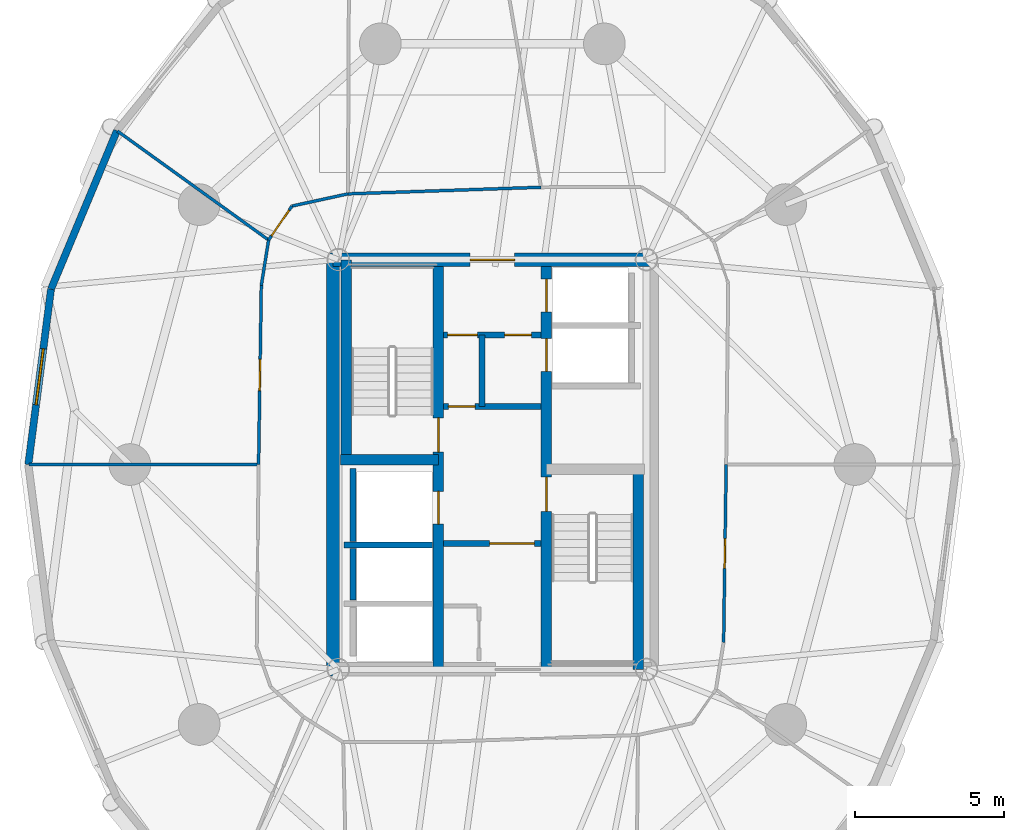
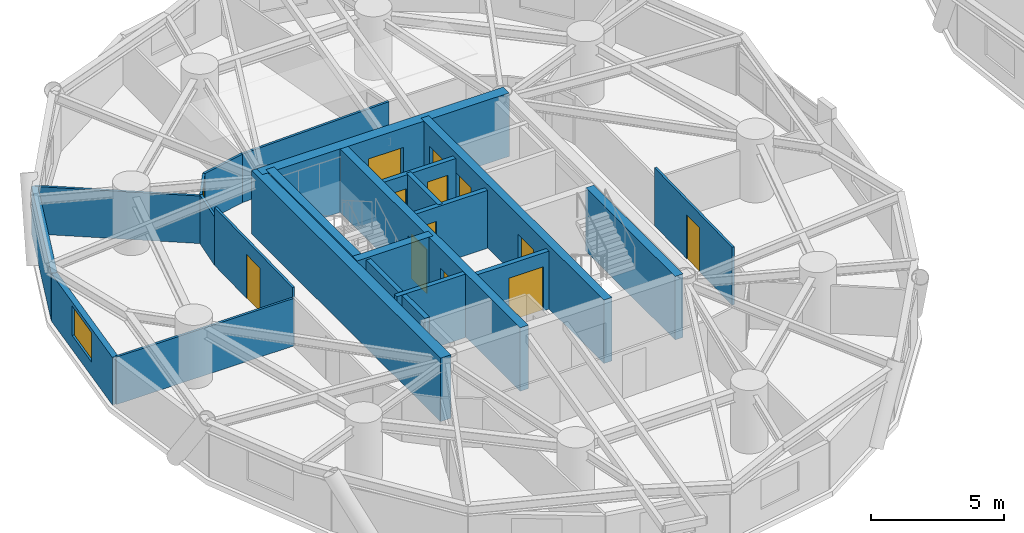
# One storey, part 10 of 16: 24 walls, 13 doors, 1 window, 14 openings.
"""IFC4 building model written with IfcOpenShell, lengths in metres."""

from ifc_helpers import new_model, si_unit, direction, frame, frame_2d, origin, place, context, subcontext, project, spatial, rectangle, extrude, source, transform, mapped, material, layer, layer_set, type_object, element, fill, save


model = new_model("IFC4")

# Units and contexts
model_context = context("Model", 3, precision=1e-05, world=origin(), true_north=direction((0.0, 1.0)))
body_context = subcontext(model_context, "Body", "Model", "MODEL_VIEW")
ifc_project = project(units=[si_unit("LENGTHUNIT", "METRE"), si_unit("AREAUNIT", "SQUARE_METRE"), si_unit("VOLUMEUNIT", "CUBIC_METRE"), si_unit("PLANEANGLEUNIT", "RADIAN"), si_unit("MASSUNIT", "GRAM", prefix="KILO")], contexts=[model_context])

# Site, building, storey
site_placement = place(None, origin())
site = spatial("IfcSite", under=ifc_project, at=site_placement, CompositionType="ELEMENT")
building_placement = place(site_placement, origin())
building = spatial("IfcBuilding", under=site, at=building_placement, Name="Cununo Teusaquillo Station Towers", CompositionType="ELEMENT")
storey_placement = place(building_placement, frame((0.0, 0.0, 99.25)))
storey = spatial("IfcBuildingStorey", under=building, at=storey_placement, Name="L31", CompositionType="ELEMENT", Elevation=99.25)

# Walls
ifc_material_1 = material(Name="Concrete C50/60", Category="concrete")
ifc_layer_1 = layer(ifc_material_1, 0.199951171875)
ifc_layer_set_1 = layer_set([ifc_layer_1], Name="Concrete C50/60")
wall_type_1 = type_object("IfcWallType", Name="WL-CORE-200", PredefinedType="SHEAR", material=ifc_layer_set_1)
wall_1_placement = place(storey_placement, frame((11.52001953125, 21.800048828125, 0.0), z_axis=(0.0, 0.0, 1.0), x_axis=(1.0, 0.0, 0.0)))
element("IfcWall", 1, at=wall_1_placement, inside=storey, type_object=wall_type_1, Name="L31 Tower A Firefighting Lift Shaft South Shear Wall", PredefinedType="SHEAR", context=body_context, shape_type="SweptSolid", body=[
    extrude(rectangle(XDim=2.969970703125, YDim=0.199951171875, at=frame_2d((1.48486328125, 0.0))), origin(), (0.0, 0.0, 1.0), 2.909912109375),
])
wall_2_placement = place(storey_placement, frame((11.820068359375, 21.919921875, 0.0), z_axis=(0.0, 0.0, 1.0), x_axis=(0.0, 1.0, 0.0)))
element("IfcWall", 2, at=wall_2_placement, inside=storey, type_object=wall_type_1, Name="L31 Tower A Firefighting Lift Shaft Rear Shear Wall", PredefinedType="SHEAR", context=body_context, shape_type="SweptSolid", body=[
    extrude(rectangle(XDim=2.440185546875, YDim=0.199951171875, at=frame_2d((1.22021484375, 0.0))), origin(), (0.0, 0.0, 1.0), 2.909912109375),
])
wall_3_placement = place(storey_placement, frame((11.820068359375, 19.945068359375, 0.0), z_axis=(0.0, 0.0, 1.0), x_axis=(0.0, 1.0, 0.0)))
element("IfcWall", 3, at=wall_3_placement, inside=storey, type_object=wall_type_1, Name="L31 Tower A High-Rise Lift 2 Shaft Rear Shear Wall", PredefinedType="SHEAR", context=body_context, shape_type="SweptSolid", body=[
    extrude(rectangle(XDim=1.73486328125, YDim=0.199951171875, at=frame_2d((0.867431640625, 0.0))), origin(), (0.0, 0.0, 1.0), 2.909912109375),
])

# Wall, openings, doors
ifc_material_2 = material(Name="Concrete C50/60", Category="concrete")
ifc_layer_2 = layer(ifc_material_2, 0.35009765625)
ifc_layer_set_2 = layer_set([ifc_layer_2], Name="Concrete C50/60")
wall_type_2 = type_object("IfcWallType", Name="WL-CORE-350", PredefinedType="SHEAR", material=ifc_layer_set_2)
wall_4_placement = place(storey_placement, frame((14.68505859375, 17.625, 0.0), z_axis=(0.0, 0.0, 1.0), x_axis=(0.0, 1.0, 0.0)))
wall_4 = element("IfcWall", 4, at=wall_4_placement, inside=storey, type_object=wall_type_2, Name="L31 Tower A Core Shear Wall IW", PredefinedType="SHEAR", context=body_context, shape_type="SweptSolid", body=[
    extrude(rectangle(XDim=13.75, YDim=0.35009765625, at=frame_2d((6.875, 0.0))), origin(), (0.0, 0.0, 1.0), 2.909912109375),
])
shared_shape_1 = source(origin(), body_context, "Body", "SweptSolid", [
    extrude(rectangle(XDim=1.10009765625, YDim=2.014892578125, at=frame_2d((0.550048828125, 1.00732421875))), frame((0.0, 0.18505859375, 0.0), z_axis=(0.0, -1.0, 0.0), x_axis=(1.0, 0.0, 0.0)), (0.0, 0.0, 1.0), 0.3701171875),
])
opening_1_placement = place(wall_4_placement, frame((4.875, 0.0, 0.0)))
opening_1 = element("IfcOpeningElement", 5, at=opening_1_placement, cuts=wall_4, Name="Opening LD-01", PredefinedType="OPENING", context=body_context, shape_type="MappedRepresentation", body=[
    mapped(shared_shape_1, transform((0.0, 0.0, 0.0), x_axis=(1.0, 0.0, 0.0), y_axis=(0.0, 1.0, 0.0), z_axis=(0.0, 0.0, 1.0), scale=1.0)),
])
shared_shape_2 = source(origin(), body_context, "Body", "SweptSolid", [
    extrude(rectangle(XDim=1.14990234375, YDim=2.02001953125, at=frame_2d((0.574951171875, 1.010009765625))), frame((0.0, 0.18505859375, 0.0), z_axis=(0.0, -1.0, 0.0), x_axis=(1.0, 0.0, 0.0)), (0.0, 0.0, 1.0), 0.3701171875),
])
opening_2_placement = place(wall_4_placement, frame((7.294921875, 0.0, 0.0)))
opening_2 = element("IfcOpeningElement", 6, at=opening_2_placement, cuts=wall_4, Name="Opening D-ST1", PredefinedType="OPENING", context=body_context, shape_type="MappedRepresentation", body=[
    mapped(shared_shape_2, transform((0.0, 0.0, 0.0), x_axis=(1.0, 0.0, 0.0), y_axis=(0.0, 1.0, 0.0), z_axis=(0.0, 0.0, 1.0), scale=1.0)),
])
ifc_material_3 = material(Name="Galvanised fire-rated hollow steel door assembly", Category="steel")
door_type_1 = type_object("IfcDoorType", Name="DR-LIFT-1100", OperationType="SLIDING_TO_LEFT", PredefinedType="DOOR", material=ifc_material_3)
shared_shape_3 = source(origin(), body_context, "Body", "SweptSolid", [
    extrude(rectangle(XDim=1.10009765625, YDim=2.014892578125, at=frame_2d((0.550048828125, 1.00732421875))), frame((0.0, 0.02490234375, 0.0), z_axis=(0.0, -1.0, 0.0), x_axis=(1.0, 0.0, 0.0)), (0.0, 0.0, 1.0), 0.050048828125),
])
door_1_placement = place(opening_1_placement, origin())
door_1 = element("IfcDoor", 7, at=door_1_placement, inside=storey, type_object=door_type_1, Name="L31 Lift FL-T1 Sliding Landing Door", OperationType="SLIDING_TO_RIGHT", OverallHeight=2.014892578125, OverallWidth=1.10009765625, PredefinedType="DOOR", context=body_context, shape_type="MappedRepresentation", body=[
    mapped(shared_shape_3, transform((0.0, 0.0, 0.0), x_axis=(1.0, 0.0, 0.0), y_axis=(0.0, 1.0, 0.0), z_axis=(0.0, 0.0, 1.0), scale=1.0)),
])
fill(opening_1, door_1)
ifc_material_4 = material(Name="Galvanised fire-rated hollow steel door assembly", Category="steel")
door_type_2 = type_object("IfcDoorType", Name="DR-STAIR-1150", OperationType="NOTDEFINED", PredefinedType="DOOR", material=ifc_material_4)
shared_shape_4 = source(origin(), body_context, "Body", "SweptSolid", [
    extrude(rectangle(XDim=1.14990234375, YDim=2.02001953125, at=frame_2d((0.574951171875, 1.010009765625))), frame((0.0, 0.02490234375, 0.0), z_axis=(0.0, -1.0, 0.0), x_axis=(1.0, 0.0, 0.0)), (0.0, 0.0, 1.0), 0.050048828125),
])
door_2_placement = place(opening_2_placement, origin())
door_2 = element("IfcDoor", 8, at=door_2_placement, inside=storey, type_object=door_type_2, Name="L31 Tower A Exit Stair 1 Fire Door", OperationType="SINGLE_SWING_RIGHT", OverallHeight=2.02001953125, OverallWidth=1.14990234375, PredefinedType="DOOR", context=body_context, shape_type="MappedRepresentation", body=[
    mapped(shared_shape_4, transform((0.0, 0.0, 0.0), x_axis=(1.0, 0.0, 0.0), y_axis=(0.0, 1.0, 0.0), z_axis=(0.0, 0.0, 1.0), scale=1.0)),
])
fill(opening_2, door_2)

wall_5_placement = place(storey_placement, frame((18.31494140625, 17.625, 0.0), z_axis=(0.0, 0.0, 1.0), x_axis=(0.0, 1.0, 0.0)))
wall_5 = element("IfcWall", 9, at=wall_5_placement, inside=storey, type_object=wall_type_2, Name="L31 Tower A Core Shear Wall IE", PredefinedType="SHEAR", context=body_context, shape_type="SweptSolid", body=[
    extrude(rectangle(XDim=13.75, YDim=0.35009765625, at=frame_2d((6.875, 0.0))), origin(), (0.0, 0.0, 1.0), 2.909912109375),
])
opening_3_placement = place(wall_5_placement, frame((10.0, 0.0, 0.0)))
opening_3 = element("IfcOpeningElement", 10, at=opening_3_placement, cuts=wall_5, Name="Opening LD-01", PredefinedType="OPENING", context=body_context, shape_type="MappedRepresentation", body=[
    mapped(shared_shape_1, transform((0.0, 0.0, 0.0), x_axis=(1.0, 0.0, 0.0), y_axis=(0.0, 1.0, 0.0), z_axis=(0.0, 0.0, 1.0), scale=1.0)),
])
opening_4_placement = place(wall_5_placement, frame((12.0, 0.0, 0.0)))
opening_4 = element("IfcOpeningElement", 11, at=opening_4_placement, cuts=wall_5, Name="Opening LD-01", PredefinedType="OPENING", context=body_context, shape_type="MappedRepresentation", body=[
    mapped(shared_shape_1, transform((0.0, 0.0, 0.0), x_axis=(1.0, 0.0, 0.0), y_axis=(0.0, 1.0, 0.0), z_axis=(0.0, 0.0, 1.0), scale=1.0)),
])
opening_5_placement = place(wall_5_placement, frame((5.304931640625, 0.0, 0.0)))
opening_5 = element("IfcOpeningElement", 12, at=opening_5_placement, cuts=wall_5, Name="Opening D-ST1", PredefinedType="OPENING", context=body_context, shape_type="MappedRepresentation", body=[
    mapped(shared_shape_2, transform((0.0, 0.0, 0.0), x_axis=(1.0, 0.0, 0.0), y_axis=(0.0, 1.0, 0.0), z_axis=(0.0, 0.0, 1.0), scale=1.0)),
])
door_3_placement = place(opening_3_placement, origin())
door_3 = element("IfcDoor", 13, at=door_3_placement, inside=storey, type_object=door_type_1, Name="L31 Lift PL-T1-L1 Sliding Landing Door", OperationType="SLIDING_TO_RIGHT", OverallHeight=2.014892578125, OverallWidth=1.10009765625, PredefinedType="DOOR", context=body_context, shape_type="MappedRepresentation", body=[
    mapped(shared_shape_3, transform((0.0, 0.0, 0.0), x_axis=(1.0, 0.0, 0.0), y_axis=(0.0, 1.0, 0.0), z_axis=(0.0, 0.0, 1.0), scale=1.0)),
])
fill(opening_3, door_3)
door_4_placement = place(opening_4_placement, origin())
door_4 = element("IfcDoor", 14, at=door_4_placement, inside=storey, type_object=door_type_1, Name="L31 Lift PL-T1-L2 Sliding Landing Door", OperationType="SLIDING_TO_LEFT", OverallHeight=2.014892578125, OverallWidth=1.10009765625, PredefinedType="DOOR", context=body_context, shape_type="MappedRepresentation", body=[
    mapped(shared_shape_3, transform((0.0, 0.0, 0.0), x_axis=(1.0, 0.0, 0.0), y_axis=(0.0, 1.0, 0.0), z_axis=(0.0, 0.0, 1.0), scale=1.0)),
])
fill(opening_4, door_4)
door_5_placement = place(opening_5_placement, origin())
door_5 = element("IfcDoor", 15, at=door_5_placement, inside=storey, type_object=door_type_2, Name="L31 Tower A Exit Stair 2 Fire Door", OperationType="SINGLE_SWING_LEFT", OverallHeight=2.02001953125, OverallWidth=1.14990234375, PredefinedType="DOOR", context=body_context, shape_type="MappedRepresentation", body=[
    mapped(shared_shape_4, transform((0.0, 0.0, 0.0), x_axis=(1.0, 0.0, 0.0), y_axis=(0.0, 1.0, 0.0), z_axis=(0.0, 0.0, 1.0), scale=1.0)),
])
fill(opening_5, door_5)

# Walls
wall_6_placement = place(storey_placement, frame((11.594970703125, 24.655029296875, 0.0), z_axis=(0.0, 0.0, 1.0), x_axis=(0.0, 1.0, 0.0)))
element("IfcWall", 16, at=wall_6_placement, inside=storey, type_object=wall_type_2, Name="L31 Tower A Core Shear Wall ST1W", PredefinedType="SHEAR", context=body_context, shape_type="SweptSolid", body=[
    extrude(rectangle(XDim=6.719970703125, YDim=0.35009765625, at=frame_2d((3.35986328125, 0.0))), origin(), (0.0, 0.0, 1.0), 2.909912109375),
])
wall_7_placement = place(storey_placement, frame((11.39990234375, 24.655029296875, 0.0), z_axis=(0.0, 0.0, 1.0), x_axis=(1.0, 0.0, 0.0)))
element("IfcWall", 17, at=wall_7_placement, inside=storey, type_object=wall_type_2, Name="L31 Tower A Core Shear Wall ST1S", PredefinedType="SHEAR", context=body_context, shape_type="SweptSolid", body=[
    extrude(rectangle(XDim=3.28515625, YDim=0.35009765625, at=frame_2d((1.642578125, 0.0))), origin(), (0.0, 0.0, 1.0), 2.909912109375),
])
wall_8_placement = place(storey_placement, frame((21.405029296875, 17.625, 0.0), z_axis=(0.0, 0.0, 1.0), x_axis=(0.0, 1.0, 0.0)))
element("IfcWall", 18, at=wall_8_placement, inside=storey, type_object=wall_type_2, Name="L31 Tower A Core Shear Wall ST2E", PredefinedType="SHEAR", context=body_context, shape_type="SweptSolid", body=[
    extrude(rectangle(XDim=6.719970703125, YDim=0.35009765625, at=frame_2d((3.35986328125, 0.0))), origin(), (0.0, 0.0, 1.0), 2.909912109375),
])
ifc_material_5 = material(Name="Concrete C60/75", Category="concrete")
ifc_layer_3 = layer(ifc_material_5, 0.449951171875)
ifc_layer_set_3 = layer_set([ifc_layer_3], Name="Concrete C60/75")
wall_type_3 = type_object("IfcWallType", Name="WL-CORE-450", PredefinedType="SHEAR", material=ifc_layer_set_3)
wall_9_placement = place(storey_placement, frame((11.14990234375, 17.39990234375, 0.0), z_axis=(0.0, 0.0, 1.0), x_axis=(0.0, 1.0, 0.0)))
element("IfcWall", 19, at=wall_9_placement, inside=storey, type_object=wall_type_3, Name="L31 Tower A Core Shear Wall W", PredefinedType="SHEAR", context=body_context, shape_type="SweptSolid", body=[
    extrude(rectangle(XDim=14.2001953125, YDim=0.449951171875, at=frame_2d((7.10009765625, 0.0))), origin(), (0.0, 0.0, 1.0), 2.909912109375),
])

# Wall, opening, door
wall_10_placement = place(storey_placement, frame((11.14990234375, 31.375, 0.0), z_axis=(0.0, 0.0, 1.0), x_axis=(1.0, 0.0, 0.0)))
wall_10 = element("IfcWall", 20, at=wall_10_placement, inside=storey, type_object=wall_type_3, Name="L31 Tower A Core Shear Wall N", PredefinedType="SHEAR", context=body_context, shape_type="SweptSolid", body=[
    extrude(rectangle(XDim=10.7001953125, YDim=0.449951171875, at=frame_2d((5.35009765625, 0.0))), origin(), (0.0, 0.0, 1.0), 2.909912109375),
])
shared_shape_5 = source(origin(), body_context, "Body", "SweptSolid", [
    extrude(rectangle(XDim=1.5, YDim=2.02001953125, at=frame_2d((0.75, 1.010009765625))), frame((0.0, 0.23486328125, 0.0), z_axis=(0.0, -1.0, 0.0), x_axis=(1.0, 0.0, 0.0)), (0.0, 0.0, 1.0), 0.469970703125),
])
opening_6_placement = place(wall_10_placement, frame((4.60009765625, 0.0, 0.0)))
opening_6 = element("IfcOpeningElement", 21, at=opening_6_placement, cuts=wall_10, Name="Opening D-LB1", PredefinedType="OPENING", context=body_context, shape_type="MappedRepresentation", body=[
    mapped(shared_shape_5, transform((0.0, 0.0, 0.0), x_axis=(1.0, 0.0, 0.0), y_axis=(0.0, 1.0, 0.0), z_axis=(0.0, 0.0, 1.0), scale=1.0)),
])
ifc_material_6 = material(Name="Galvanised fire-rated hollow steel door assembly", Category="steel")
door_type_3 = type_object("IfcDoorType", Name="DR-LOBBY-1500", OperationType="DOUBLE_DOOR_SINGLE_SWING", PredefinedType="DOOR", material=ifc_material_6)
shared_shape_6 = source(origin(), body_context, "Body", "SweptSolid", [
    extrude(rectangle(XDim=1.5, YDim=2.02001953125, at=frame_2d((0.75, 1.010009765625))), frame((0.0, 0.02490234375, 0.0), z_axis=(0.0, -1.0, 0.0), x_axis=(1.0, 0.0, 0.0)), (0.0, 0.0, 1.0), 0.050048828125),
])
door_6_placement = place(opening_6_placement, origin())
door_6 = element("IfcDoor", 22, at=door_6_placement, inside=storey, type_object=door_type_3, Name="L31 Tower A North Core Lift Lobby Door", OperationType="DOUBLE_DOOR_SINGLE_SWING", OverallHeight=2.02001953125, OverallWidth=1.5, PredefinedType="DOOR", context=body_context, shape_type="MappedRepresentation", body=[
    mapped(shared_shape_6, transform((0.0, 0.0, 0.0), x_axis=(1.0, 0.0, 0.0), y_axis=(0.0, 1.0, 0.0), z_axis=(0.0, 0.0, 1.0), scale=1.0)),
])
fill(opening_6, door_6)

# Wall
ifc_material_7 = material(Name="Precast concrete C40/50", Category="concrete")
ifc_layer_4 = layer(ifc_material_7, 0.239990234375)
ifc_layer_set_4 = layer_set([ifc_layer_4], Name="Precast concrete C40/50")
wall_type_4 = type_object("IfcWallType", Name="WL-EXT-240", PredefinedType="SOLIDWALL", material=ifc_layer_set_4)
wall_11_placement = place(storey_placement, frame((1.681640625, 30.39306640625, 0.0), z_axis=(0.0, 0.0, 1.0), x_axis=(0.384344417632, 0.923189779317, 0.0)))
element("IfcWall", 23, at=wall_11_placement, inside=storey, type_object=wall_type_4, Name="L31 Tower A Exterior Facade Wall C08", PredefinedType="SOLIDWALL", context=body_context, shape_type="SweptSolid", body=[
    extrude(rectangle(XDim=5.75830078125, YDim=0.239990234375, at=frame_2d((2.879150390625, 0.0))), origin(), (0.0, 0.0, 1.0), 2.178955078125),
])

# Wall, opening, window
wall_12_placement = place(storey_placement, frame((0.9189453125, 24.5, 0.0), z_axis=(0.0, 0.0, 1.0), x_axis=(0.128351991996, 0.991728675672, 0.0)))
wall_12 = element("IfcWall", 24, at=wall_12_placement, inside=storey, type_object=wall_type_4, Name="L31 Tower A Exterior Facade Wall C09", PredefinedType="SOLIDWALL", context=body_context, shape_type="SweptSolid", body=[
    extrude(rectangle(XDim=5.942138671875, YDim=0.239990234375, at=frame_2d((2.97119140625, 0.0))), origin(), (0.0, 0.0, 1.0), 2.178955078125),
])
shared_shape_7 = source(origin(), body_context, "Body", "SweptSolid", [
    extrude(rectangle(XDim=1.89990234375, YDim=1.35009765625, at=frame_2d((0.949951171875, 0.675048828125))), frame((0.0, 0.1298828125, 0.0), z_axis=(0.0, -1.0, 0.0), x_axis=(1.0, 0.0, 0.0)), (0.0, 0.0, 1.0), 0.260009765625),
])
opening_7_placement = place(wall_12_placement, frame((2.02099609375, 0.0, 0.64990234375)))
opening_7 = element("IfcOpeningElement", 25, at=opening_7_placement, cuts=wall_12, Name="Opening WN-02", PredefinedType="OPENING", context=body_context, shape_type="MappedRepresentation", body=[
    mapped(shared_shape_7, transform((0.0, 0.0, 0.0), x_axis=(1.0, 0.0, 0.0), y_axis=(0.0, 1.0, 0.0), z_axis=(0.0, 0.0, 1.0), scale=1.0)),
])
ifc_material_8 = material(Name="Operable acoustic tinted low-E double glazing", Category="glass")
window_type = type_object("IfcWindowType", Name="WIN-OPER-1900", PartitioningType="DOUBLE_PANEL_VERTICAL", PredefinedType="WINDOW", material=ifc_material_8)
shared_shape_8 = source(origin(), body_context, "Body", "SweptSolid", [
    extrude(rectangle(XDim=1.89990234375, YDim=1.35009765625, at=frame_2d((0.949951171875, 0.675048828125))), frame((0.0, 0.030029296875, 0.0), z_axis=(0.0, -1.0, 0.0), x_axis=(1.0, 0.0, 0.0)), (0.0, 0.0, 1.0), 0.06005859375),
])
window_placement = place(opening_7_placement, origin())
window = element("IfcWindow", 26, at=window_placement, inside=storey, type_object=window_type, Name="L31 Tower A Facade Window C09", OverallHeight=1.35009765625, OverallWidth=1.89990234375, PartitioningType="DOUBLE_PANEL_VERTICAL", PredefinedType="WINDOW", context=body_context, shape_type="MappedRepresentation", body=[
    mapped(shared_shape_8, transform((0.0, 0.0, 0.0), x_axis=(1.0, 0.0, 0.0), y_axis=(0.0, 1.0, 0.0), z_axis=(0.0, 0.0, 1.0), scale=1.0)),
])
fill(opening_7, window)

# Walls
ifc_material_9 = material(Name="Fire-rated gypsum plasterboard partition assembly", Category="gypsum")
ifc_layer_5 = layer(ifc_material_9, 0.10009765625)
ifc_layer_set_5 = layer_set([ifc_layer_5], Name="Fire-rated gypsum plasterboard partition assembly")
wall_type_5 = type_object("IfcWallType", Name="WL-PART-100", PredefinedType="MOVABLE", material=ifc_layer_set_5)
wall_13_placement = place(storey_placement, frame((18.1328125, 33.8095703125, 0.0), z_axis=(0.0, 0.0, 1.0), x_axis=(-0.999415793323, -0.03417706916, 0.0)))
element("IfcWall", 27, at=wall_13_placement, inside=storey, type_object=wall_type_5, Name="L31 Tower A Corridor Ring Wall C05", PredefinedType="MOVABLE", context=body_context, shape_type="SweptSolid", body=[
    extrude(rectangle(XDim=6.486328125, YDim=0.10009765625, at=frame_2d((3.2431640625, 0.0))), origin(), (0.0, 0.0, 1.0), 2.22509765625),
])
wall_14_placement = place(storey_placement, frame((11.650390625, 33.587890625, 0.0), z_axis=(0.0, 0.0, 1.0), x_axis=(-0.977141987047, -0.212587716366, 0.0)))
element("IfcWall", 28, at=wall_14_placement, inside=storey, type_object=wall_type_5, Name="L31 Tower A Corridor Ring Wall C06", PredefinedType="MOVABLE", context=body_context, shape_type="SweptSolid", body=[
    extrude(rectangle(XDim=1.923583984375, YDim=0.10009765625, at=frame_2d((0.9619140625, 0.0))), origin(), (0.0, 0.0, 1.0), 2.22509765625),
])

# Wall, opening, door
wall_15_placement = place(storey_placement, frame((9.770751953125, 33.178955078125, 0.0), z_axis=(0.0, 0.0, 1.0), x_axis=(-0.56664857412, -0.823959582412, 0.0)))
wall_15 = element("IfcWall", 29, at=wall_15_placement, inside=storey, type_object=wall_type_5, Name="L31 Tower A Corridor Ring Wall C07", PredefinedType="MOVABLE", context=body_context, shape_type="SweptSolid", body=[
    extrude(rectangle(XDim=1.38427734375, YDim=0.10009765625, at=frame_2d((0.692138671875, 0.0))), origin(), (0.0, 0.0, 1.0), 2.22509765625),
])
shared_shape_9 = source(origin(), body_context, "Body", "SweptSolid", [
    extrude(rectangle(XDim=1.050048828125, YDim=2.014892578125, at=frame_2d((0.52490234375, 1.00732421875))), frame((0.0, 0.06005859375, 0.0), z_axis=(0.0, -1.0, 0.0), x_axis=(1.0, 0.0, 0.0)), (0.0, 0.0, 1.0), 0.1201171875),
])
opening_8_placement = place(wall_15_placement, frame((0.167236328125, 0.0, 0.0)))
opening_8 = element("IfcOpeningElement", 30, at=opening_8_placement, cuts=wall_15, Name="Opening D-SU1", PredefinedType="OPENING", context=body_context, shape_type="MappedRepresentation", body=[
    mapped(shared_shape_9, transform((0.0, 0.0, 0.0), x_axis=(1.0, 0.0, 0.0), y_axis=(0.0, 1.0, 0.0), z_axis=(0.0, 0.0, 1.0), scale=1.0)),
])
ifc_material_10 = material(Name="Acoustic solid-core hardwood leaf assembly", Category="wood")
door_type_4 = type_object("IfcDoorType", Name="DR-SUITE-1050", OperationType="NOTDEFINED", PredefinedType="DOOR", material=ifc_material_10)
shared_shape_10 = source(origin(), body_context, "Body", "SweptSolid", [
    extrude(rectangle(XDim=1.050048828125, YDim=2.014892578125, at=frame_2d((0.52490234375, 1.00732421875))), frame((0.0, 0.02490234375, 0.0), z_axis=(0.0, -1.0, 0.0), x_axis=(1.0, 0.0, 0.0)), (0.0, 0.0, 1.0), 0.050048828125),
])
door_7_placement = place(opening_8_placement, origin())
door_7 = element("IfcDoor", 31, at=door_7_placement, inside=storey, type_object=door_type_4, Name="L31 Tower A Compliance & Audit Office Entrance Door", OperationType="SINGLE_SWING_LEFT", OverallHeight=2.014892578125, OverallWidth=1.050048828125, PredefinedType="DOOR", context=body_context, shape_type="MappedRepresentation", body=[
    mapped(shared_shape_10, transform((0.0, 0.0, 0.0), x_axis=(1.0, 0.0, 0.0), y_axis=(0.0, 1.0, 0.0), z_axis=(0.0, 0.0, 1.0), scale=1.0)),
])
fill(opening_8, door_7)

# Wall
wall_16_placement = place(storey_placement, frame((8.986328125, 32.038330078125, 0.0), z_axis=(0.0, 0.0, 1.0), x_axis=(-0.158224526738, -0.987403159372, 0.0)))
element("IfcWall", 32, at=wall_16_placement, inside=storey, type_object=wall_type_5, Name="L31 Tower A Corridor Ring Wall C08", PredefinedType="MOVABLE", context=body_context, shape_type="SweptSolid", body=[
    extrude(rectangle(XDim=1.546142578125, YDim=0.10009765625, at=frame_2d((0.77294921875, 0.0))), origin(), (0.0, 0.0, 1.0), 2.22509765625),
])

# Wall, opening, door
wall_17_placement = place(storey_placement, frame((8.74169921875, 30.51171875, 0.0), z_axis=(0.0, 0.0, 1.0), x_axis=(-0.015267875777, -0.999883439191, 0.0)))
wall_17 = element("IfcWall", 33, at=wall_17_placement, inside=storey, type_object=wall_type_5, Name="L31 Tower A Corridor Ring Wall C09", PredefinedType="MOVABLE", context=body_context, shape_type="SweptSolid", body=[
    extrude(rectangle(XDim=6.012451171875, YDim=0.10009765625, at=frame_2d((3.00634765625, 0.0))), origin(), (0.0, 0.0, 1.0), 2.655029296875),
])
opening_9_placement = place(wall_17_placement, frame((2.481201171875, 0.0, 0.0)))
opening_9 = element("IfcOpeningElement", 34, at=opening_9_placement, cuts=wall_17, Name="Opening D-SU1", PredefinedType="OPENING", context=body_context, shape_type="MappedRepresentation", body=[
    mapped(shared_shape_9, transform((0.0, 0.0, 0.0), x_axis=(1.0, 0.0, 0.0), y_axis=(0.0, 1.0, 0.0), z_axis=(0.0, 0.0, 1.0), scale=1.0)),
])
door_8_placement = place(opening_9_placement, origin())
door_8 = element("IfcDoor", 35, at=door_8_placement, inside=storey, type_object=door_type_4, Name="L31 Tower A Fixed-Income & FX Execution Desk Entrance Door", OperationType="SINGLE_SWING_RIGHT", OverallHeight=2.014892578125, OverallWidth=1.050048828125, PredefinedType="DOOR", context=body_context, shape_type="MappedRepresentation", body=[
    mapped(shared_shape_10, transform((0.0, 0.0, 0.0), x_axis=(1.0, 0.0, 0.0), y_axis=(0.0, 1.0, 0.0), z_axis=(0.0, 0.0, 1.0), scale=1.0)),
])
fill(opening_9, door_8)

wall_18_placement = place(storey_placement, frame((24.264404296875, 18.52880859375, 0.0), z_axis=(0.0, 0.0, 1.0), x_axis=(0.014349654938, 0.999897038401, 0.0)))
wall_18 = element("IfcWall", 36, at=wall_18_placement, inside=storey, type_object=wall_type_5, Name="L31 Tower A Corridor Ring Wall C19", PredefinedType="MOVABLE", context=body_context, shape_type="SweptSolid", body=[
    extrude(rectangle(XDim=5.971923828125, YDim=0.10009765625, at=frame_2d((2.98583984375, 0.0))), origin(), (0.0, 0.0, 1.0), 2.655029296875),
])
shared_shape_11 = source(origin(), body_context, "Body", "SweptSolid", [
    extrude(rectangle(XDim=1.0, YDim=2.014892578125, at=frame_2d((0.5, 1.00732421875))), frame((0.0, 0.06005859375, 0.0), z_axis=(0.0, -1.0, 0.0), x_axis=(1.0, 0.0, 0.0)), (0.0, 0.0, 1.0), 0.1201171875),
])
opening_10_placement = place(wall_18_placement, frame((2.486083984375, 0.0, 0.0)))
opening_10 = element("IfcOpeningElement", 37, at=opening_10_placement, cuts=wall_18, Name="Opening D-AC1", PredefinedType="OPENING", context=body_context, shape_type="MappedRepresentation", body=[
    mapped(shared_shape_11, transform((0.0, 0.0, 0.0), x_axis=(1.0, 0.0, 0.0), y_axis=(0.0, 1.0, 0.0), z_axis=(0.0, 0.0, 1.0), scale=1.0)),
])
ifc_material_11 = material(Name="Acoustic solid-core hardwood leaf assembly", Category="wood")
door_type_5 = type_object("IfcDoorType", Name="DR-ACC-1000", OperationType="NOTDEFINED", PredefinedType="DOOR", material=ifc_material_11)
shared_shape_12 = source(origin(), body_context, "Body", "SweptSolid", [
    extrude(rectangle(XDim=1.0, YDim=2.014892578125, at=frame_2d((0.5, 1.00732421875))), frame((0.0, 0.02490234375, 0.0), z_axis=(0.0, -1.0, 0.0), x_axis=(1.0, 0.0, 0.0)), (0.0, 0.0, 1.0), 0.050048828125),
])
door_9_placement = place(opening_10_placement, origin())
door_9 = element("IfcDoor", 38, at=door_9_placement, inside=storey, type_object=door_type_5, Name="L31 Tower A Public Accessible Restroom WC Entrance Door", OperationType="SINGLE_SWING_LEFT", OverallHeight=2.014892578125, OverallWidth=1.0, PredefinedType="DOOR", context=body_context, shape_type="MappedRepresentation", body=[
    mapped(shared_shape_12, transform((0.0, 0.0, 0.0), x_axis=(1.0, 0.0, 0.0), y_axis=(0.0, 1.0, 0.0), z_axis=(0.0, 0.0, 1.0), scale=1.0)),
])
fill(opening_10, door_9)

# Walls
wall_19_placement = place(storey_placement, frame((8.986328125, 32.038330078125, 0.0), z_axis=(0.0, 0.0, 1.0), x_axis=(-0.811184127106, 0.584790827502, 0.0)))
element("IfcWall", 39, at=wall_19_placement, inside=storey, type_object=wall_type_5, Name="L31 Tower A Radial Suite Partition R04", PredefinedType="MOVABLE", context=body_context, shape_type="SweptSolid", body=[
    extrude(rectangle(XDim=6.2568359375, YDim=0.10009765625, at=frame_2d((3.12841796875, 0.0))), origin(), (0.0, 0.0, 1.0), 2.178955078125),
])
wall_20_placement = place(storey_placement, frame((8.64990234375, 24.5, 0.0), z_axis=(0.0, 0.0, 1.0), x_axis=(-1.0, 0.0, 0.0)))
element("IfcWall", 40, at=wall_20_placement, inside=storey, type_object=wall_type_5, Name="L31 Tower A Radial Suite Partition R05", PredefinedType="MOVABLE", context=body_context, shape_type="SweptSolid", body=[
    extrude(rectangle(XDim=7.7109375, YDim=0.10009765625, at=frame_2d((3.85546875, 0.0))), origin(), (0.0, 0.0, 1.0), 2.178955078125),
])

# Wall, opening, door
ifc_material_12 = material(Name="Fire-rated gypsum plasterboard partition assembly", Category="gypsum")
ifc_layer_6 = layer(ifc_material_12, 0.199951171875)
ifc_layer_set_6 = layer_set([ifc_layer_6], Name="Fire-rated gypsum plasterboard partition assembly")
wall_type_6 = type_object("IfcWallType", Name="WL-PART-200", PredefinedType="PARTITIONING", material=ifc_layer_set_6)
wall_21_placement = place(storey_placement, frame((14.860107421875, 21.85009765625, 0.0), z_axis=(0.0, 0.0, 1.0), x_axis=(1.0, 0.0, 0.0)))
wall_21 = element("IfcWall", 41, at=wall_21_placement, inside=storey, type_object=wall_type_6, Name="L31 Tower A Firefighting Lift Lobby South Fire Wall", PredefinedType="PARTITIONING", context=body_context, shape_type="SweptSolid", body=[
    extrude(rectangle(XDim=3.27978515625, YDim=0.199951171875, at=frame_2d((1.639892578125, 0.0))), origin(), (0.0, 0.0, 1.0), 2.655029296875),
])
shared_shape_13 = source(origin(), body_context, "Body", "SweptSolid", [
    extrude(rectangle(XDim=1.5, YDim=2.02001953125, at=frame_2d((0.75, 1.010009765625))), frame((0.0, 0.10986328125, 0.0), z_axis=(0.0, -1.0, 0.0), x_axis=(1.0, 0.0, 0.0)), (0.0, 0.0, 1.0), 0.219970703125),
])
opening_11_placement = place(wall_21_placement, frame((1.550048828125, 0.0, 0.0)))
opening_11 = element("IfcOpeningElement", 42, at=opening_11_placement, cuts=wall_21, Name="Opening D-LB1", PredefinedType="OPENING", context=body_context, shape_type="MappedRepresentation", body=[
    mapped(shared_shape_13, transform((0.0, 0.0, 0.0), x_axis=(1.0, 0.0, 0.0), y_axis=(0.0, 1.0, 0.0), z_axis=(0.0, 0.0, 1.0), scale=1.0)),
])
door_10_placement = place(opening_11_placement, origin())
door_10 = element("IfcDoor", 43, at=door_10_placement, inside=storey, type_object=door_type_3, Name="L31 Tower A Firefighting Lift Lobby South Fire Door", OperationType="DOUBLE_DOOR_SINGLE_SWING", OverallHeight=2.02001953125, OverallWidth=1.5, PredefinedType="DOOR", context=body_context, shape_type="MappedRepresentation", body=[
    mapped(shared_shape_6, transform((0.0, 0.0, 0.0), x_axis=(1.0, 0.0, 0.0), y_axis=(0.0, 1.0, 0.0), z_axis=(0.0, 0.0, 1.0), scale=1.0)),
])
fill(opening_11, door_10)

wall_22_placement = place(storey_placement, frame((14.860107421875, 26.449951171875, 0.0), z_axis=(0.0, 0.0, 1.0), x_axis=(1.0, 0.0, 0.0)))
wall_22 = element("IfcWall", 44, at=wall_22_placement, inside=storey, type_object=wall_type_6, Name="L31 Tower A Firefighting Lift Lobby North Fire Wall", PredefinedType="PARTITIONING", context=body_context, shape_type="SweptSolid", body=[
    extrude(rectangle(XDim=3.27978515625, YDim=0.199951171875, at=frame_2d((1.639892578125, 0.0))), origin(), (0.0, 0.0, 1.0), 2.655029296875),
])
shared_shape_14 = source(origin(), body_context, "Body", "SweptSolid", [
    extrude(rectangle(XDim=0.89990234375, YDim=2.0048828125, at=frame_2d((0.449951171875, 1.00244140625))), frame((0.0, 0.10986328125, 0.0), z_axis=(0.0, -1.0, 0.0), x_axis=(1.0, 0.0, 0.0)), (0.0, 0.0, 1.0), 0.219970703125),
])
opening_12_placement = place(wall_22_placement, frame((0.159912109375, 0.0, 0.0)))
opening_12 = element("IfcOpeningElement", 45, at=opening_12_placement, cuts=wall_22, Name="Opening D-SR1", PredefinedType="OPENING", context=body_context, shape_type="MappedRepresentation", body=[
    mapped(shared_shape_14, transform((0.0, 0.0, 0.0), x_axis=(1.0, 0.0, 0.0), y_axis=(0.0, 1.0, 0.0), z_axis=(0.0, 0.0, 1.0), scale=1.0)),
])
ifc_material_13 = material(Name="Galvanised fire-rated hollow steel door assembly", Category="steel")
door_type_6 = type_object("IfcDoorType", Name="DR-STORE-900", OperationType="NOTDEFINED", PredefinedType="DOOR", material=ifc_material_13)
shared_shape_15 = source(origin(), body_context, "Body", "SweptSolid", [
    extrude(rectangle(XDim=0.89990234375, YDim=2.0048828125, at=frame_2d((0.449951171875, 1.00244140625))), frame((0.0, 0.02490234375, 0.0), z_axis=(0.0, -1.0, 0.0), x_axis=(1.0, 0.0, 0.0)), (0.0, 0.0, 1.0), 0.050048828125),
])
door_11_placement = place(opening_12_placement, origin())
door_11 = element("IfcDoor", 46, at=door_11_placement, inside=storey, type_object=door_type_6, Name="L31 Tower A Stair 1 Protected Vestibule South Door", OperationType="SINGLE_SWING_RIGHT", OverallHeight=2.0048828125, OverallWidth=0.89990234375, PredefinedType="DOOR", context=body_context, shape_type="MappedRepresentation", body=[
    mapped(shared_shape_15, transform((0.0, 0.0, 0.0), x_axis=(1.0, 0.0, 0.0), y_axis=(0.0, 1.0, 0.0), z_axis=(0.0, 0.0, 1.0), scale=1.0)),
])
fill(opening_12, door_11)

# Wall
wall_23_placement = place(storey_placement, frame((16.14990234375, 26.449951171875, 0.0), z_axis=(0.0, 0.0, 1.0), x_axis=(0.0, 1.0, 0.0)))
element("IfcWall", 47, at=wall_23_placement, inside=storey, type_object=wall_type_6, Name="L31 Tower A Stair 1 Vestibule Partition Wall", PredefinedType="PARTITIONING", context=body_context, shape_type="SweptSolid", body=[
    extrude(rectangle(XDim=2.400146484375, YDim=0.199951171875, at=frame_2d((1.2001953125, 0.0))), origin(), (0.0, 0.0, 1.0), 2.655029296875),
])

# Wall, openings, doors
wall_24_placement = place(storey_placement, frame((14.860107421875, 28.85009765625, 0.0), z_axis=(0.0, 0.0, 1.0), x_axis=(1.0, 0.0, 0.0)))
wall_24 = element("IfcWall", 48, at=wall_24_placement, inside=storey, type_object=wall_type_6, Name="L31 Tower A North Lift Lobby South Fire Wall", PredefinedType="PARTITIONING", context=body_context, shape_type="SweptSolid", body=[
    extrude(rectangle(XDim=3.27978515625, YDim=0.199951171875, at=frame_2d((1.639892578125, 0.0))), origin(), (0.0, 0.0, 1.0), 2.655029296875),
])
shared_shape_16 = source(origin(), body_context, "Body", "SweptSolid", [
    extrude(rectangle(XDim=1.0, YDim=2.014892578125, at=frame_2d((0.5, 1.00732421875))), frame((0.0, 0.10986328125, 0.0), z_axis=(0.0, -1.0, 0.0), x_axis=(1.0, 0.0, 0.0)), (0.0, 0.0, 1.0), 0.219970703125),
])
opening_13_placement = place(wall_24_placement, frame((0.139892578125, 0.0, 0.0)))
opening_13 = element("IfcOpeningElement", 49, at=opening_13_placement, cuts=wall_24, Name="Opening D-AC1", PredefinedType="OPENING", context=body_context, shape_type="MappedRepresentation", body=[
    mapped(shared_shape_16, transform((0.0, 0.0, 0.0), x_axis=(1.0, 0.0, 0.0), y_axis=(0.0, 1.0, 0.0), z_axis=(0.0, 0.0, 1.0), scale=1.0)),
])
opening_14_placement = place(wall_24_placement, frame((2.050048828125, 0.0, 0.0)))
opening_14 = element("IfcOpeningElement", 50, at=opening_14_placement, cuts=wall_24, Name="Opening D-SR1", PredefinedType="OPENING", context=body_context, shape_type="MappedRepresentation", body=[
    mapped(shared_shape_14, transform((0.0, 0.0, 0.0), x_axis=(1.0, 0.0, 0.0), y_axis=(0.0, 1.0, 0.0), z_axis=(0.0, 0.0, 1.0), scale=1.0)),
])
door_12_placement = place(opening_14_placement, origin())
door_12 = element("IfcDoor", 51, at=door_12_placement, inside=storey, type_object=door_type_6, Name="L31 Tower A Core Housekeeping & Linen Store Door", OperationType="SINGLE_SWING_LEFT", OverallHeight=2.0048828125, OverallWidth=0.89990234375, PredefinedType="DOOR", context=body_context, shape_type="MappedRepresentation", body=[
    mapped(shared_shape_15, transform((0.0, 0.0, 0.0), x_axis=(1.0, 0.0, 0.0), y_axis=(0.0, 1.0, 0.0), z_axis=(0.0, 0.0, 1.0), scale=1.0)),
])
fill(opening_14, door_12)
door_13_placement = place(opening_13_placement, origin())
door_13 = element("IfcDoor", 52, at=door_13_placement, inside=storey, type_object=door_type_5, Name="L31 Tower A North Lift Lobby to Stair 1 Vestibule Door", OperationType="SINGLE_SWING_LEFT", OverallHeight=2.014892578125, OverallWidth=1.0, PredefinedType="DOOR", context=body_context, shape_type="MappedRepresentation", body=[
    mapped(shared_shape_12, transform((0.0, 0.0, 0.0), x_axis=(1.0, 0.0, 0.0), y_axis=(0.0, 1.0, 0.0), z_axis=(0.0, 0.0, 1.0), scale=1.0)),
])
fill(opening_13, door_13)

save(model, "model.ifc")
